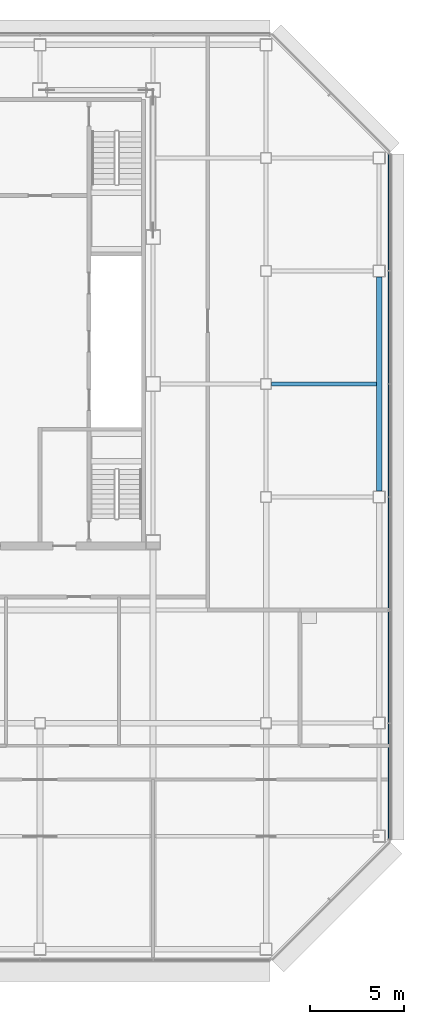
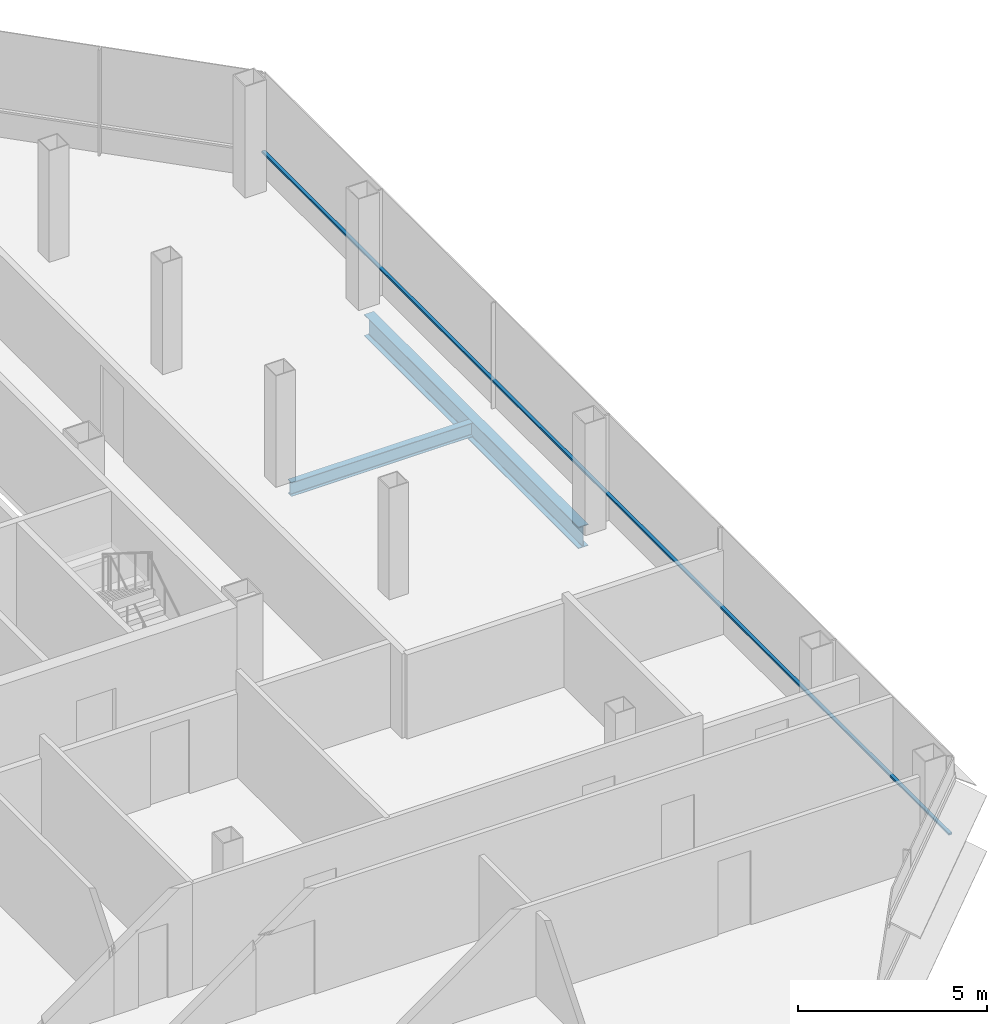
# One storey, part 17 of 26: 2 beams, 1 member, 1 element without a shape of its own.
"""IFC4 building model written with IfcOpenShell, lengths in metres."""

import ifcopenshell
import ifcopenshell.guid

model = None  # the IFC model being written
_history = None  # IfcOwnerHistory: only IFC2X3 demands one
_inside = {}  # id of a spatial element -> (the spatial element, [elements in it])
_under = {}  # id of a project, library or spatial element -> (it, [spatial elements below it])
_declared = {}  # id of a project -> (the project, [libraries it declares])
_typed = {}  # id of a type object -> (the type object, [elements of that type])
_made_of = {}  # id of a material, layer set ... -> (it, [elements and type objects made of it])


def new_model(schema):
    """Start an empty IFC model of exactly this schema.

    Asked for "IFC4X3", IfcOpenShell would pick the latest addendum, in which some entities
    have other attributes; the version numbers below select the first issue.
    IFC2X3 requires an IfcOwnerHistory on every rooted entity: one is made here for all.
    """
    global model, _history
    if schema == "IFC4X3":
        model = ifcopenshell.file(schema_version=(4, 3, 0, 0))
    else:
        model = ifcopenshell.file(schema=schema)
    _inside.clear()
    _under.clear()
    _declared.clear()
    _typed.clear()
    _made_of.clear()
    _history = None
    if model.schema == "IFC2X3":
        org = make("IfcOrganization", Name="unknown")
        user = make(
            "IfcPersonAndOrganization",
            ThePerson=make("IfcPerson", FamilyName="unknown"),
            TheOrganization=org,
        )
        app = make(
            "IfcApplication",
            ApplicationDeveloper=org,
            Version="unknown",
            ApplicationFullName="unknown",
            ApplicationIdentifier="unknown",
        )
        _history = make(
            "IfcOwnerHistory",
            OwningUser=user,
            OwningApplication=app,
            ChangeAction="ADDED",
            CreationDate=0,
        )
    return model


def make(cls, **values):
    """One entity of the class cls with the attributes given. An attribute that is None is left unset."""
    return model.create_entity(
        cls, **{name: value for name, value in values.items() if value is not None}
    )


def rooted(cls, **values):
    """An entity with a GlobalId (a new one), such as an element, a storey or a relation."""
    return make(cls, GlobalId=ifcopenshell.guid.new(), OwnerHistory=_history, **values)


def si_unit(unit_type, name, prefix=None):
    """IfcSIUnit, for example si_unit("LENGTHUNIT", "METRE", prefix="MILLI")."""
    return make("IfcSIUnit", UnitType=unit_type, Prefix=prefix, Name=name)


def assignment(units):
    """IfcUnitAssignment: the units of a project."""
    return None if units is None else make("IfcUnitAssignment", Units=units)


def point(xyz):
    """IfcCartesianPoint."""
    return None if xyz is None else make("IfcCartesianPoint", Coordinates=xyz)


def direction(xyz):
    """IfcDirection."""
    return None if xyz is None else make("IfcDirection", DirectionRatios=xyz)


def frame(location, z_axis=None, x_axis=None):
    """IfcAxis2Placement3D, a coordinate frame: its origin and axes. An axis left out is left unset."""
    return make(
        "IfcAxis2Placement3D",
        Location=point(location),
        Axis=direction(z_axis),
        RefDirection=direction(x_axis),
    )


def frame_2d(location, x_axis=None):
    """IfcAxis2Placement2D, a coordinate frame in the plane: its origin and x axis."""
    return make(
        "IfcAxis2Placement2D", Location=point(location), RefDirection=direction(x_axis)
    )


def origin():
    """The frame at (0, 0, 0) with its axes left unset."""
    return frame((0.0, 0.0, 0.0))


def origin_2d():
    """The frame at (0, 0) in the plane with its x axis left unset."""
    return frame_2d((0.0, 0.0))


def place(relative_to, where):
    """IfcLocalPlacement: puts the frame where relative to a parent placement (None: the world)."""
    return make(
        "IfcLocalPlacement", PlacementRelTo=relative_to, RelativePlacement=where
    )


def context(
    kind, dimensions, precision=None, world=None, true_north=None, identifier=None
):
    """IfcGeometricRepresentationContext, for example the 3D "Model" context."""
    return make(
        "IfcGeometricRepresentationContext",
        ContextIdentifier=identifier,
        ContextType=kind,
        CoordinateSpaceDimension=dimensions,
        Precision=precision,
        WorldCoordinateSystem=world,
        TrueNorth=true_north,
    )


def subcontext(parent, identifier, kind, view, scale=None):
    """IfcGeometricRepresentationSubContext, for example "Body" below "Model"."""
    return make(
        "IfcGeometricRepresentationSubContext",
        ContextIdentifier=identifier,
        ContextType=kind,
        ParentContext=parent,
        TargetScale=scale,
        TargetView=view,
    )


def project(units=None, contexts=None):
    """IfcProject with its units and contexts."""
    return rooted(
        "IfcProject",
        Name="project",
        RepresentationContexts=contexts,
        UnitsInContext=assignment(units),
    )


def spatial(cls, under=None, at=None, **own):
    """A site, building, storey or space (cls), placed at a placement, below another one or the project."""
    s = rooted(cls, ObjectPlacement=at, **own)
    if under is not None:
        _under.setdefault(under.id(), (under, []))[1].append(s)
    return s


def profile(cls, at=None, kind="AREA", **sizes):
    """A parametric profile (cls). Its sizes go by their IFC names, for example OverallWidth=200.0."""
    return make(cls, ProfileType=kind, Position=at, **sizes)


def rectangle(**sizes):
    """IfcRectangleProfileDef."""
    return profile("IfcRectangleProfileDef", **sizes)


def i_section(**sizes):
    """IfcIShapeProfileDef."""
    return profile("IfcIShapeProfileDef", **sizes)


def extrude(swept, where, along, depth):
    """IfcExtrudedAreaSolid: the profile swept, set in the frame where, extruded along a direction by depth."""
    return make(
        "IfcExtrudedAreaSolid",
        SweptArea=swept,
        Position=where,
        ExtrudedDirection=direction(along),
        Depth=depth,
    )


def shape(context_of_items, identifier, shape_type, items):
    """IfcShapeRepresentation: the items that make up one representation, for example the "Body"."""
    return make(
        "IfcShapeRepresentation",
        ContextOfItems=context_of_items,
        RepresentationIdentifier=identifier,
        RepresentationType=shape_type,
        Items=items,
    )


def material(Name=None, Category=None):
    """IfcMaterial."""
    return make("IfcMaterial", Name=Name, Category=Category)


def material_profile(
    of_material, cross_section, Name=None, Category=None, Priority=None
):
    """IfcMaterialProfile: a cross section and its material."""
    return make(
        "IfcMaterialProfile",
        Name=Name,
        Material=of_material,
        Profile=cross_section,
        Priority=Priority,
        Category=Category,
    )


def profile_set(profiles, Name=None, composite=None):
    """IfcMaterialProfileSet."""
    return make(
        "IfcMaterialProfileSet",
        Name=Name,
        MaterialProfiles=profiles,
        CompositeProfile=composite,
    )


def made_of(thing, what):
    """Note that an element or type object is made of a material, layer set ...; save() writes the relation."""
    if what is not None:
        _made_of.setdefault(what.id(), (what, []))[1].append(thing)
    return thing


def type_object(cls, material=None, **own):
    """A type object (cls), such as IfcWallType, which elements share."""
    return made_of(rooted(cls, **own), material)


def element(
    cls,
    number,
    at=None,
    inside=None,
    cuts=None,
    type_object=None,
    material=None,
    context=None,
    identifier="Body",
    shape_type=None,
    held_by="IfcProductDefinitionShape",
    body=None,
    shapes=None,
    **own,
):
    """One element of the class cls, such as IfcWall. Its Tag is "e" and its number.

    at: its placement. inside: the storey or other place that contains it. cuts: it is an
    opening in that element (IfcRelVoidsElement). A single representation is given by context,
    identifier, shape_type and body (its items); several are given by shapes. held_by: the class
    of the entity that holds the representations. save() writes the other relations.
    """
    e = rooted(cls, Tag="e%d" % number, ObjectPlacement=at, **own)
    if body is not None:
        shapes = [shape(context, identifier, shape_type, body)]
    if shapes is not None:
        e.Representation = make(held_by, Representations=shapes)
    if inside is not None:
        _inside.setdefault(inside.id(), (inside, []))[1].append(e)
    if cuts is not None:
        rooted(
            "IfcRelVoidsElement", RelatingBuildingElement=cuts, RelatedOpeningElement=e
        )
    if type_object is not None:
        _typed.setdefault(type_object.id(), (type_object, []))[1].append(e)
    return made_of(e, material)


def aggregate(whole, parts):
    """IfcRelAggregates: a whole, such as a stair, and the parts it consists of."""
    return rooted("IfcRelAggregates", RelatingObject=whole, RelatedObjects=parts)


def save(model, path):
    """Write the relations noted so far, then the file.

    IfcRelAggregates (storeys below a building ...), IfcRelContainedInSpatialStructure (elements
    in a storey), IfcRelDefinesByType, IfcRelAssociatesMaterial and IfcRelDeclares: one each for
    every whole, place, type object, material and project.
    """
    for whole, parts in _under.values():
        aggregate(whole, parts)
    for where, things in _inside.values():
        rooted(
            "IfcRelContainedInSpatialStructure",
            RelatedElements=things,
            RelatingStructure=where,
        )
    for kind, things in _typed.values():
        rooted("IfcRelDefinesByType", RelatedObjects=things, RelatingType=kind)
    for what, things in _made_of.values():
        rooted("IfcRelAssociatesMaterial", RelatedObjects=things, RelatingMaterial=what)
    for by, libraries in _declared.values():
        rooted("IfcRelDeclares", RelatingContext=by, RelatedDefinitions=libraries)
    model.write(path)


model = new_model("IFC4")

# Units and contexts
model_context = context("Model", 3, precision=1e-05, world=origin(), true_north=direction((0.0, 1.0)))
body_context = subcontext(model_context, "Body", "Model", "MODEL_VIEW")
ifc_project = project(units=[si_unit("LENGTHUNIT", "METRE"), si_unit("AREAUNIT", "SQUARE_METRE"), si_unit("VOLUMEUNIT", "CUBIC_METRE"), si_unit("PLANEANGLEUNIT", "RADIAN"), si_unit("MASSUNIT", "GRAM", prefix="KILO")], contexts=[model_context])

# Site, building, storey
site_placement = place(None, origin())
site = spatial("IfcSite", under=ifc_project, at=site_placement, CompositionType="ELEMENT")
building_placement = place(site_placement, origin())
building = spatial("IfcBuilding", under=site, at=building_placement, Name="Sorahane Residences", CompositionType="ELEMENT")
storey_placement = place(building_placement, frame((0.0, 0.0, 219.0)))
storey = spatial("IfcBuildingStorey", under=building, at=storey_placement, Name="L51", CompositionType="ELEMENT", Elevation=219.0)

# Curtain wall, member
ifc_material_1 = material(Name="Dark low-e glass and black anodised aluminium", Category="aluminium")
curtain_wall_type = type_object("IfcCurtainWallType", Name="Curtain wall CW-1 Typical unitised wall", PredefinedType="NOTDEFINED", material=ifc_material_1)
curtain_wall_placement = place(storey_placement, origin())
curtain_wall = element("IfcCurtainWall", 1, at=curtain_wall_placement, inside=storey, type_object=curtain_wall_type, Name="CW-1 curtain wall L51 E1", PredefinedType="NOTDEFINED")
ifc_material_2 = material(Name="Black anodised aluminium", Category="aluminium")
ifc_material_profile_1 = material_profile(ifc_material_2, rectangle(XDim=0.10009765625, YDim=0.06005859375, at=origin_2d()), Name="Curtain wall transom CW-1 black anodised aluminium 60x100")
ifc_profile_set_1 = profile_set([ifc_material_profile_1], Name="Black anodised aluminium")
member_type = type_object("IfcMemberType", Name="Curtain wall transom CW-1 black anodised aluminium 60x100", PredefinedType="USERDEFINED", material=ifc_profile_set_1)
member_placement = place(storey_placement, frame((54.530029296875, 5.801513671875, 0.89990234375), z_axis=(0.0, 1.0, 0.0), x_axis=(-1.0, 0.0, 0.0)))
member = element("IfcMember", 2, at=member_placement, type_object=member_type, Name="CW-1 transom L51 E1", ObjectType="TRANSOM", PredefinedType="USERDEFINED", context=body_context, shape_type="SweptSolid", body=[
    extrude(rectangle(XDim=0.10009765625, YDim=0.06005859375, at=origin_2d()), origin(), (0.0, 0.0, 1.0), 36.39697265625),
])
aggregate(curtain_wall, [member])

# Beams
ifc_material_3 = material(Name="Steel Q355B", Category="steel")
ifc_material_profile_2 = material_profile(ifc_material_3, i_section(OverallWidth=0.199951171875, OverallDepth=0.449951171875, WebThickness=0.009033203125, FlangeThickness=0.013916015625, FilletRadius=0.02001953125, at=origin_2d()), Name="HN 450x200x9x14")
ifc_profile_set_2 = profile_set([ifc_material_profile_2], Name="Steel Q355B")
beam_type_1 = type_object("IfcBeamType", Name="Steel floor beam HN 450x200x9x14 Q355B", PredefinedType="BEAM", material=ifc_profile_set_2)
beam_1_placement = place(storey_placement, frame((48.300048828125, 30.0, -0.405029296875), z_axis=(1.0, 0.0, 0.0), x_axis=(0.0, 1.0, 0.0)))
element("IfcBeam", 3, at=beam_1_placement, inside=storey, type_object=beam_type_1, Name="Beam L51 088", PredefinedType="BEAM", context=body_context, shape_type="SweptSolid", body=[
    extrude(i_section(OverallWidth=0.199951171875, OverallDepth=0.449951171875, WebThickness=0.009033203125, FlangeThickness=0.013916015625, FilletRadius=0.02001953125, at=origin_2d()), origin(), (0.0, 0.0, 1.0), 5.550048828125),
])
ifc_material_4 = material(Name="Steel Q355B", Category="steel")
ifc_material_profile_3 = material_profile(ifc_material_4, i_section(OverallWidth=0.300048828125, OverallDepth=0.699951171875, WebThickness=0.012939453125, FlangeThickness=0.02392578125, FilletRadius=0.028076171875, at=origin_2d()), Name="HN 700x300x13x24")
ifc_profile_set_3 = profile_set([ifc_material_profile_3], Name="Steel Q355B")
beam_type_2 = type_object("IfcBeamType", Name="Steel floor beam HN 700x300x13x24 Q355B", PredefinedType="BEAM", material=ifc_profile_set_3)
beam_2_placement = place(storey_placement, frame((54.0, 24.324951171875, -0.530029296875), z_axis=(0.0, 1.0, 0.0), x_axis=(-1.0, 0.0, 0.0)))
element("IfcBeam", 4, at=beam_2_placement, inside=storey, type_object=beam_type_2, Name="Beam L51 066", PredefinedType="BEAM", context=body_context, shape_type="SweptSolid", body=[
    extrude(i_section(OverallWidth=0.300048828125, OverallDepth=0.699951171875, WebThickness=0.012939453125, FlangeThickness=0.02392578125, FilletRadius=0.028076171875, at=origin_2d()), origin(), (0.0, 0.0, 1.0), 11.35009765625),
])

save(model, "model.ifc")
